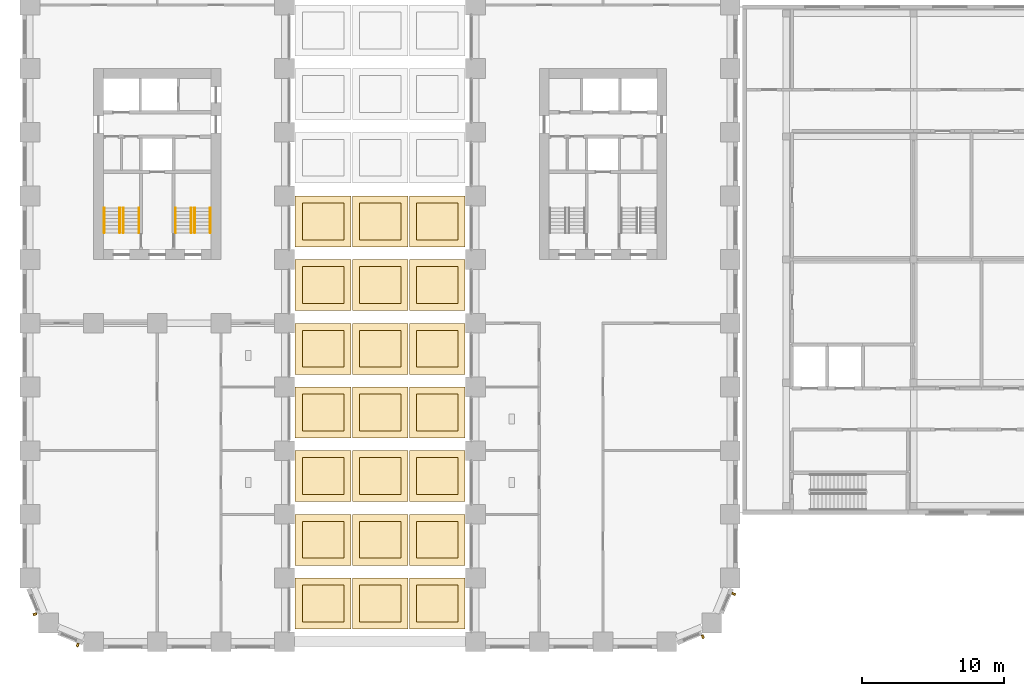
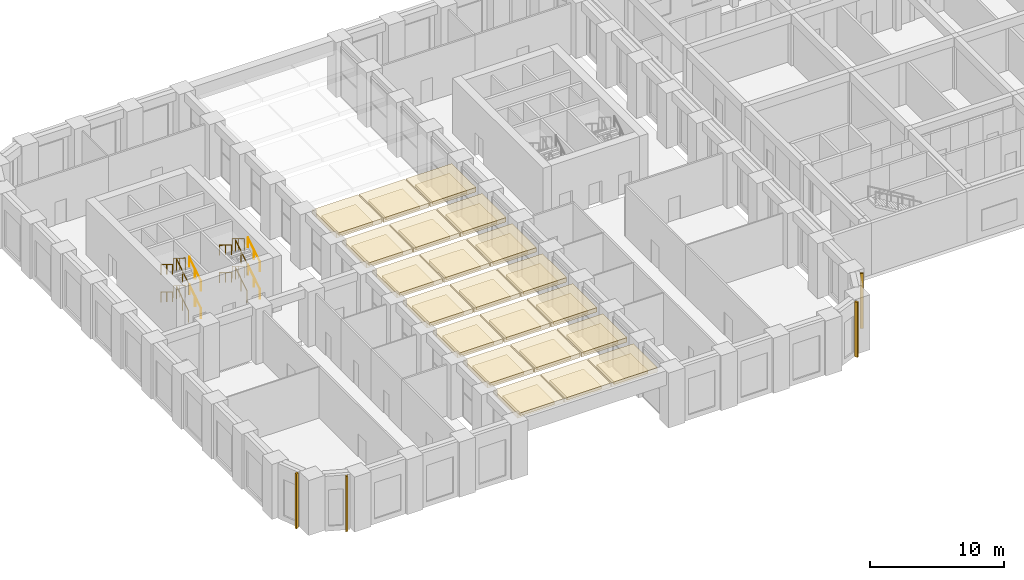
# One storey, part 18 of 24: 42 coverings, 16 railings, 4 shading devices.
"""IFC4 building model written with IfcOpenShell, lengths in metres."""

from ifc_helpers import new_model, si_unit, direction, frame, origin, origin_2d, place, context, subcontext, project, spatial, rectangle, circle, extrude, material, layer, layer_set, type_object, element, save


model = new_model("IFC4")

# Units and contexts
model_context = context("Model", 3, precision=1e-05, world=origin(), true_north=direction((0.0, 1.0)))
body_context = subcontext(model_context, "Body", "Model", "MODEL_VIEW")
ifc_project = project(units=[si_unit("LENGTHUNIT", "METRE"), si_unit("AREAUNIT", "SQUARE_METRE"), si_unit("VOLUMEUNIT", "CUBIC_METRE"), si_unit("PLANEANGLEUNIT", "RADIAN"), si_unit("MASSUNIT", "GRAM", prefix="KILO")], contexts=[model_context])

# Site, building, storey
site_placement = place(None, origin())
site = spatial("IfcSite", under=ifc_project, at=site_placement, CompositionType="ELEMENT")
building_placement = place(site_placement, origin())
building = spatial("IfcBuilding", under=site, at=building_placement, Name="Girih Gate Residences", CompositionType="ELEMENT")
storey_placement = place(building_placement, frame((0.0, 0.0, 16.0)))
storey = spatial("IfcBuildingStorey", under=building, at=storey_placement, Name="L03", CompositionType="ELEMENT", Elevation=16.0)

# Shading devices
ifc_material_1 = material(Name="Precast concrete C50/60", Category="concrete")
shading_device_type = type_object("IfcShadingDeviceType", Name="Corner rib 150x250", PredefinedType="USERDEFINED", material=ifc_material_1)
for number, where, z_axis, x_axis, name in (
    (1, (0.35498046875, 1.9443359375, 0.0), (0.0, 0.0, 1.0), (0.382683432365, -0.923879532511, 0.0), "Corner rib SW0000_0045.0"),
    (2, (3.376220703125, -0.238037109375, 0.0), (0.0, 0.0, 1.0), (0.923879532511, -0.382683432365, 0.0), "Corner rib SW0013_0013.0"),
    (3, (47.5556640625, 0.35498046875, 0.0), (0.0, 0.0, 1.0), (0.923879532511, 0.382683432365, 0.0), "Corner rib SE0450_0000.0"),
    (4, (49.738037109375, 3.376220703125, 0.0), (0.0, 0.0, 1.0), (0.382683432365, 0.923879532511, 0.0), "Corner rib SE0482_0013.0"),
):
    element("IfcShadingDevice", number, at=place(storey_placement, frame(where, z_axis=z_axis, x_axis=x_axis)), inside=storey, type_object=shading_device_type, Name=name, ObjectType="FIN", PredefinedType="USERDEFINED", context=body_context, shape_type="SweptSolid", body=[
        extrude(rectangle(XDim=0.14990234375, YDim=0.25, at=origin_2d()), origin(), (0.0, 0.0, 1.0), 5.0),
    ])

# Coverings
ifc_layer_1 = layer(ifc_material_1, 0.25)
ifc_layer_set_1 = layer_set([ifc_layer_1], Name="Muqarnas soffit coffer 250")
covering_type_1 = type_object("IfcCoveringType", Name="Muqarnas soffit coffer 250", PredefinedType="CEILING", material=ifc_layer_set_1)
for number, where, z_axis, x_axis, name in (
    (5, (20.716796875, 2.699951171875, 3.89990234375), (0.0, 0.0, 1.0), (1.0, 0.0, 0.0), "Soffit coffer step 1.1"),
    (6, (24.75, 2.699951171875, 3.89990234375), (0.0, 0.0, 1.0), (1.0, 0.0, 0.0), "Soffit coffer step 1.2"),
    (7, (28.783203125, 2.699951171875, 3.89990234375), (0.0, 0.0, 1.0), (1.0, 0.0, 0.0), "Soffit coffer step 1.3"),
    (8, (20.716796875, 7.199951171875, 3.89990234375), (0.0, 0.0, 1.0), (1.0, 0.0, 0.0), "Soffit coffer step 2.1"),
    (9, (24.75, 7.199951171875, 3.89990234375), (0.0, 0.0, 1.0), (1.0, 0.0, 0.0), "Soffit coffer step 2.2"),
    (10, (28.783203125, 7.199951171875, 3.89990234375), (0.0, 0.0, 1.0), (1.0, 0.0, 0.0), "Soffit coffer step 2.3"),
    (11, (20.716796875, 11.699951171875, 3.89990234375), (0.0, 0.0, 1.0), (1.0, 0.0, 0.0), "Soffit coffer step 3.1"),
    (12, (24.75, 11.699951171875, 3.89990234375), (0.0, 0.0, 1.0), (1.0, 0.0, 0.0), "Soffit coffer step 3.2"),
    (13, (28.783203125, 11.699951171875, 3.89990234375), (0.0, 0.0, 1.0), (1.0, 0.0, 0.0), "Soffit coffer step 3.3"),
    (14, (20.716796875, 16.199951171875, 3.89990234375), (0.0, 0.0, 1.0), (1.0, 0.0, 0.0), "Soffit coffer step 4.1"),
    (15, (24.75, 16.199951171875, 3.89990234375), (0.0, 0.0, 1.0), (1.0, 0.0, 0.0), "Soffit coffer step 4.2"),
    (16, (28.783203125, 16.199951171875, 3.89990234375), (0.0, 0.0, 1.0), (1.0, 0.0, 0.0), "Soffit coffer step 4.3"),
    (17, (20.716796875, 20.699951171875, 3.89990234375), (0.0, 0.0, 1.0), (1.0, 0.0, 0.0), "Soffit coffer step 5.1"),
    (18, (24.75, 20.699951171875, 3.89990234375), (0.0, 0.0, 1.0), (1.0, 0.0, 0.0), "Soffit coffer step 5.2"),
    (19, (28.783203125, 20.699951171875, 3.89990234375), (0.0, 0.0, 1.0), (1.0, 0.0, 0.0), "Soffit coffer step 5.3"),
    (20, (20.716796875, 25.199951171875, 3.89990234375), (0.0, 0.0, 1.0), (1.0, 0.0, 0.0), "Soffit coffer step 6.1"),
    (21, (24.75, 25.199951171875, 3.89990234375), (0.0, 0.0, 1.0), (1.0, 0.0, 0.0), "Soffit coffer step 6.2"),
    (22, (28.783203125, 25.199951171875, 3.89990234375), (0.0, 0.0, 1.0), (1.0, 0.0, 0.0), "Soffit coffer step 6.3"),
    (23, (20.716796875, 29.699951171875, 3.89990234375), (0.0, 0.0, 1.0), (1.0, 0.0, 0.0), "Soffit coffer step 7.1"),
    (24, (24.75, 29.699951171875, 3.89990234375), (0.0, 0.0, 1.0), (1.0, 0.0, 0.0), "Soffit coffer step 7.2"),
    (25, (28.783203125, 29.699951171875, 3.89990234375), (0.0, 0.0, 1.0), (1.0, 0.0, 0.0), "Soffit coffer step 7.3"),
):
    element("IfcCovering", number, at=place(storey_placement, frame(where, z_axis=z_axis, x_axis=x_axis)), inside=storey, type_object=covering_type_1, Name=name, PredefinedType="CEILING", context=body_context, shape_type="SweptSolid", body=[
        extrude(rectangle(XDim=2.933349609375, YDim=2.60009765625, at=origin_2d()), origin(), (0.0, 0.0, 1.0), 0.25),
    ])
ifc_layer_2 = layer(ifc_material_1, 0.39990234375)
ifc_layer_set_2 = layer_set([ifc_layer_2], Name="Muqarnas soffit coffer 400")
covering_type_2 = type_object("IfcCoveringType", Name="Muqarnas soffit coffer 400", PredefinedType="CEILING", material=ifc_layer_set_2)
for number, where, z_axis, x_axis, name in (
    (26, (20.716796875, 2.699951171875, 4.150146484375), (0.0, 0.0, 1.0), (1.0, 0.0, 0.0), "Soffit coffer 1.1"),
    (27, (24.75, 2.699951171875, 4.150146484375), (0.0, 0.0, 1.0), (1.0, 0.0, 0.0), "Soffit coffer 1.2"),
    (28, (28.783203125, 2.699951171875, 4.150146484375), (0.0, 0.0, 1.0), (1.0, 0.0, 0.0), "Soffit coffer 1.3"),
    (29, (20.716796875, 7.199951171875, 4.150146484375), (0.0, 0.0, 1.0), (1.0, 0.0, 0.0), "Soffit coffer 2.1"),
    (30, (24.75, 7.199951171875, 4.150146484375), (0.0, 0.0, 1.0), (1.0, 0.0, 0.0), "Soffit coffer 2.2"),
    (31, (28.783203125, 7.199951171875, 4.150146484375), (0.0, 0.0, 1.0), (1.0, 0.0, 0.0), "Soffit coffer 2.3"),
    (32, (20.716796875, 11.699951171875, 4.150146484375), (0.0, 0.0, 1.0), (1.0, 0.0, 0.0), "Soffit coffer 3.1"),
    (33, (24.75, 11.699951171875, 4.150146484375), (0.0, 0.0, 1.0), (1.0, 0.0, 0.0), "Soffit coffer 3.2"),
    (34, (28.783203125, 11.699951171875, 4.150146484375), (0.0, 0.0, 1.0), (1.0, 0.0, 0.0), "Soffit coffer 3.3"),
    (35, (20.716796875, 16.199951171875, 4.150146484375), (0.0, 0.0, 1.0), (1.0, 0.0, 0.0), "Soffit coffer 4.1"),
    (36, (24.75, 16.199951171875, 4.150146484375), (0.0, 0.0, 1.0), (1.0, 0.0, 0.0), "Soffit coffer 4.2"),
    (37, (28.783203125, 16.199951171875, 4.150146484375), (0.0, 0.0, 1.0), (1.0, 0.0, 0.0), "Soffit coffer 4.3"),
    (38, (20.716796875, 20.699951171875, 4.150146484375), (0.0, 0.0, 1.0), (1.0, 0.0, 0.0), "Soffit coffer 5.1"),
    (39, (24.75, 20.699951171875, 4.150146484375), (0.0, 0.0, 1.0), (1.0, 0.0, 0.0), "Soffit coffer 5.2"),
    (40, (28.783203125, 20.699951171875, 4.150146484375), (0.0, 0.0, 1.0), (1.0, 0.0, 0.0), "Soffit coffer 5.3"),
    (41, (20.716796875, 25.199951171875, 4.150146484375), (0.0, 0.0, 1.0), (1.0, 0.0, 0.0), "Soffit coffer 6.1"),
    (42, (24.75, 25.199951171875, 4.150146484375), (0.0, 0.0, 1.0), (1.0, 0.0, 0.0), "Soffit coffer 6.2"),
    (43, (28.783203125, 25.199951171875, 4.150146484375), (0.0, 0.0, 1.0), (1.0, 0.0, 0.0), "Soffit coffer 6.3"),
    (44, (20.716796875, 29.699951171875, 4.150146484375), (0.0, 0.0, 1.0), (1.0, 0.0, 0.0), "Soffit coffer 7.1"),
    (45, (24.75, 29.699951171875, 4.150146484375), (0.0, 0.0, 1.0), (1.0, 0.0, 0.0), "Soffit coffer 7.2"),
    (46, (28.783203125, 29.699951171875, 4.150146484375), (0.0, 0.0, 1.0), (1.0, 0.0, 0.0), "Soffit coffer 7.3"),
):
    element("IfcCovering", number, at=place(storey_placement, frame(where, z_axis=z_axis, x_axis=x_axis)), inside=storey, type_object=covering_type_2, Name=name, PredefinedType="CEILING", context=body_context, shape_type="SweptSolid", body=[
        extrude(rectangle(XDim=3.933349609375, YDim=3.60009765625, at=origin_2d()), origin(), (0.0, 0.0, 1.0), 0.39990234375),
    ])

# Railings
ifc_material_2 = material(Name="Stainless steel", Category="steel")
railing_type_1 = type_object("IfcRailingType", Name="Stair guard 1100", PredefinedType="GUARDRAIL", material=ifc_material_2)
railing_1_placement = place(storey_placement, frame((6.60009765625, 28.89990234375, 0.15625)))
element("IfcRailing", 47, at=railing_1_placement, inside=storey, type_object=railing_type_1, Name="L03 ST-W1 stair guard 1", PredefinedType="GUARDRAIL", context=body_context, shape_type="SweptSolid", body=[
    extrude(circle(Radius=0.02392578125, at=origin_2d()), frame((0.0, 0.0, 1.076171875), z_axis=(0.0, 0.847998304005, 0.529998940003), x_axis=(-1.0, 0.0, 0.0)), (0.0, 0.0, 1.0), 2.063720703125),
    extrude(circle(Radius=0.02099609375, at=origin_2d()), origin(), (0.0, 0.0, 1.0), 1.052001953125),
    extrude(circle(Radius=0.02099609375, at=origin_2d()), frame((0.0, 0.875, 0.546875)), (0.0, 0.0, 1.0), 1.052001953125),
    extrude(circle(Radius=0.02099609375, at=origin_2d()), frame((0.0, 1.75, 1.09375)), (0.0, 0.0, 1.0), 1.052001953125),
])
railing_2_placement = place(storey_placement, frame((6.35009765625, 30.64990234375, 1.40625)))
element("IfcRailing", 48, at=railing_2_placement, inside=storey, type_object=railing_type_1, Name="L03 ST-W1 stair guard 2", PredefinedType="GUARDRAIL", context=body_context, shape_type="SweptSolid", body=[
    extrude(circle(Radius=0.02392578125, at=origin_2d()), frame((0.0, 0.0, 1.076171875), z_axis=(0.0, -0.847998304005, 0.529998940003), x_axis=(1.0, 0.0, 0.0)), (0.0, 0.0, 1.0), 2.063720703125),
    extrude(circle(Radius=0.02099609375, at=origin_2d()), origin(), (0.0, 0.0, 1.0), 1.052001953125),
    extrude(circle(Radius=0.02099609375, at=origin_2d()), frame((0.0, -0.875, 0.546875)), (0.0, 0.0, 1.0), 1.052001953125),
    extrude(circle(Radius=0.02099609375, at=origin_2d()), frame((0.0, -1.75, 1.09375)), (0.0, 0.0, 1.0), 1.052001953125),
])
railing_3_placement = place(storey_placement, frame((6.60009765625, 28.89990234375, 2.65625)))
element("IfcRailing", 49, at=railing_3_placement, inside=storey, type_object=railing_type_1, Name="L03 ST-W1 stair guard 3", PredefinedType="GUARDRAIL", context=body_context, shape_type="SweptSolid", body=[
    extrude(circle(Radius=0.02392578125, at=origin_2d()), frame((0.0, 0.0, 1.076171875), z_axis=(0.0, 0.847998304005, 0.529998940003), x_axis=(-1.0, 0.0, 0.0)), (0.0, 0.0, 1.0), 2.063720703125),
    extrude(circle(Radius=0.02099609375, at=origin_2d()), origin(), (0.0, 0.0, 1.0), 1.052001953125),
    extrude(circle(Radius=0.02099609375, at=origin_2d()), frame((0.0, 0.875, 0.546875)), (0.0, 0.0, 1.0), 1.052001953125),
    extrude(circle(Radius=0.02099609375, at=origin_2d()), frame((0.0, 1.75, 1.09375)), (0.0, 0.0, 1.0), 1.052001953125),
])
railing_4_placement = place(storey_placement, frame((6.35009765625, 30.64990234375, 3.90625)))
element("IfcRailing", 50, at=railing_4_placement, inside=storey, type_object=railing_type_1, Name="L03 ST-W1 stair guard 4", PredefinedType="GUARDRAIL", context=body_context, shape_type="SweptSolid", body=[
    extrude(circle(Radius=0.02392578125, at=origin_2d()), frame((0.0, 0.0, 1.076171875), z_axis=(0.0, -0.847998304005, 0.529998940003), x_axis=(1.0, 0.0, 0.0)), (0.0, 0.0, 1.0), 2.063720703125),
    extrude(circle(Radius=0.02099609375, at=origin_2d()), origin(), (0.0, 0.0, 1.0), 1.052001953125),
    extrude(circle(Radius=0.02099609375, at=origin_2d()), frame((0.0, -0.875, 0.546875)), (0.0, 0.0, 1.0), 1.052001953125),
    extrude(circle(Radius=0.02099609375, at=origin_2d()), frame((0.0, -1.75, 1.09375)), (0.0, 0.0, 1.0), 1.052001953125),
])
railing_5_placement = place(storey_placement, frame((11.64990234375, 28.89990234375, 0.15625)))
element("IfcRailing", 51, at=railing_5_placement, inside=storey, type_object=railing_type_1, Name="L03 ST-W2 stair guard 1", PredefinedType="GUARDRAIL", context=body_context, shape_type="SweptSolid", body=[
    extrude(circle(Radius=0.02392578125, at=origin_2d()), frame((0.0, 0.0, 1.076171875), z_axis=(0.0, 0.847998304005, 0.529998940003), x_axis=(-1.0, 0.0, 0.0)), (0.0, 0.0, 1.0), 2.063720703125),
    extrude(circle(Radius=0.02099609375, at=origin_2d()), origin(), (0.0, 0.0, 1.0), 1.052001953125),
    extrude(circle(Radius=0.02099609375, at=origin_2d()), frame((0.0, 0.875, 0.546875)), (0.0, 0.0, 1.0), 1.052001953125),
    extrude(circle(Radius=0.02099609375, at=origin_2d()), frame((0.0, 1.75, 1.09375)), (0.0, 0.0, 1.0), 1.052001953125),
])
railing_6_placement = place(storey_placement, frame((11.39990234375, 30.64990234375, 1.40625)))
element("IfcRailing", 52, at=railing_6_placement, inside=storey, type_object=railing_type_1, Name="L03 ST-W2 stair guard 2", PredefinedType="GUARDRAIL", context=body_context, shape_type="SweptSolid", body=[
    extrude(circle(Radius=0.02392578125, at=origin_2d()), frame((0.0, 0.0, 1.076171875), z_axis=(0.0, -0.847998304005, 0.529998940003), x_axis=(1.0, 0.0, 0.0)), (0.0, 0.0, 1.0), 2.063720703125),
    extrude(circle(Radius=0.02099609375, at=origin_2d()), origin(), (0.0, 0.0, 1.0), 1.052001953125),
    extrude(circle(Radius=0.02099609375, at=origin_2d()), frame((0.0, -0.875, 0.546875)), (0.0, 0.0, 1.0), 1.052001953125),
    extrude(circle(Radius=0.02099609375, at=origin_2d()), frame((0.0, -1.75, 1.09375)), (0.0, 0.0, 1.0), 1.052001953125),
])
railing_7_placement = place(storey_placement, frame((11.64990234375, 28.89990234375, 2.65625)))
element("IfcRailing", 53, at=railing_7_placement, inside=storey, type_object=railing_type_1, Name="L03 ST-W2 stair guard 3", PredefinedType="GUARDRAIL", context=body_context, shape_type="SweptSolid", body=[
    extrude(circle(Radius=0.02392578125, at=origin_2d()), frame((0.0, 0.0, 1.076171875), z_axis=(0.0, 0.847998304005, 0.529998940003), x_axis=(-1.0, 0.0, 0.0)), (0.0, 0.0, 1.0), 2.063720703125),
    extrude(circle(Radius=0.02099609375, at=origin_2d()), origin(), (0.0, 0.0, 1.0), 1.052001953125),
    extrude(circle(Radius=0.02099609375, at=origin_2d()), frame((0.0, 0.875, 0.546875)), (0.0, 0.0, 1.0), 1.052001953125),
    extrude(circle(Radius=0.02099609375, at=origin_2d()), frame((0.0, 1.75, 1.09375)), (0.0, 0.0, 1.0), 1.052001953125),
])
railing_8_placement = place(storey_placement, frame((11.39990234375, 30.64990234375, 3.90625)))
element("IfcRailing", 54, at=railing_8_placement, inside=storey, type_object=railing_type_1, Name="L03 ST-W2 stair guard 4", PredefinedType="GUARDRAIL", context=body_context, shape_type="SweptSolid", body=[
    extrude(circle(Radius=0.02392578125, at=origin_2d()), frame((0.0, 0.0, 1.076171875), z_axis=(0.0, -0.847998304005, 0.529998940003), x_axis=(1.0, 0.0, 0.0)), (0.0, 0.0, 1.0), 2.063720703125),
    extrude(circle(Radius=0.02099609375, at=origin_2d()), origin(), (0.0, 0.0, 1.0), 1.052001953125),
    extrude(circle(Radius=0.02099609375, at=origin_2d()), frame((0.0, -0.875, 0.546875)), (0.0, 0.0, 1.0), 1.052001953125),
    extrude(circle(Radius=0.02099609375, at=origin_2d()), frame((0.0, -1.75, 1.09375)), (0.0, 0.0, 1.0), 1.052001953125),
])
railing_type_2 = type_object("IfcRailingType", Name="Stair handrail 900", PredefinedType="HANDRAIL", material=ifc_material_2)
railing_9_placement = place(storey_placement, frame((7.699951171875, 28.89990234375, 0.15625)))
element("IfcRailing", 55, at=railing_9_placement, inside=storey, type_object=railing_type_2, Name="L03 ST-W1 stair handrail 1", PredefinedType="HANDRAIL", context=body_context, shape_type="SweptSolid", body=[
    extrude(circle(Radius=0.02392578125, at=origin_2d()), frame((0.0, 0.0, 0.8857421875), z_axis=(0.0, 0.847998304005, 0.529998940003), x_axis=(-1.0, 0.0, 0.0)), (0.0, 0.0, 1.0), 2.063720703125),
    extrude(circle(Radius=0.02099609375, at=origin_2d()), origin(), (0.0, 0.0, 1.0), 0.86181640625),
    extrude(circle(Radius=0.02099609375, at=origin_2d()), frame((0.0, 0.875, 0.546875)), (0.0, 0.0, 1.0), 0.86181640625),
    extrude(circle(Radius=0.02099609375, at=origin_2d()), frame((0.0, 1.75, 1.09375)), (0.0, 0.0, 1.0), 0.86181640625),
])
railing_10_placement = place(storey_placement, frame((5.25, 30.64990234375, 1.40625)))
element("IfcRailing", 56, at=railing_10_placement, inside=storey, type_object=railing_type_2, Name="L03 ST-W1 stair handrail 2", PredefinedType="HANDRAIL", context=body_context, shape_type="SweptSolid", body=[
    extrude(circle(Radius=0.02392578125, at=origin_2d()), frame((0.0, 0.0, 0.8857421875), z_axis=(0.0, -0.847998304005, 0.529998940003), x_axis=(1.0, 0.0, 0.0)), (0.0, 0.0, 1.0), 2.063720703125),
    extrude(circle(Radius=0.02099609375, at=origin_2d()), origin(), (0.0, 0.0, 1.0), 0.86181640625),
    extrude(circle(Radius=0.02099609375, at=origin_2d()), frame((0.0, -0.875, 0.546875)), (0.0, 0.0, 1.0), 0.86181640625),
    extrude(circle(Radius=0.02099609375, at=origin_2d()), frame((0.0, -1.75, 1.09375)), (0.0, 0.0, 1.0), 0.86181640625),
])
railing_11_placement = place(storey_placement, frame((7.699951171875, 28.89990234375, 2.65625)))
element("IfcRailing", 57, at=railing_11_placement, inside=storey, type_object=railing_type_2, Name="L03 ST-W1 stair handrail 3", PredefinedType="HANDRAIL", context=body_context, shape_type="SweptSolid", body=[
    extrude(circle(Radius=0.02392578125, at=origin_2d()), frame((0.0, 0.0, 0.8857421875), z_axis=(0.0, 0.847998304005, 0.529998940003), x_axis=(-1.0, 0.0, 0.0)), (0.0, 0.0, 1.0), 2.063720703125),
    extrude(circle(Radius=0.02099609375, at=origin_2d()), origin(), (0.0, 0.0, 1.0), 0.86181640625),
    extrude(circle(Radius=0.02099609375, at=origin_2d()), frame((0.0, 0.875, 0.546875)), (0.0, 0.0, 1.0), 0.86181640625),
    extrude(circle(Radius=0.02099609375, at=origin_2d()), frame((0.0, 1.75, 1.09375)), (0.0, 0.0, 1.0), 0.86181640625),
])
railing_12_placement = place(storey_placement, frame((5.25, 30.64990234375, 3.90625)))
element("IfcRailing", 58, at=railing_12_placement, inside=storey, type_object=railing_type_2, Name="L03 ST-W1 stair handrail 4", PredefinedType="HANDRAIL", context=body_context, shape_type="SweptSolid", body=[
    extrude(circle(Radius=0.02392578125, at=origin_2d()), frame((0.0, 0.0, 0.8857421875), z_axis=(0.0, -0.847998304005, 0.529998940003), x_axis=(1.0, 0.0, 0.0)), (0.0, 0.0, 1.0), 2.063720703125),
    extrude(circle(Radius=0.02099609375, at=origin_2d()), origin(), (0.0, 0.0, 1.0), 0.86181640625),
    extrude(circle(Radius=0.02099609375, at=origin_2d()), frame((0.0, -0.875, 0.546875)), (0.0, 0.0, 1.0), 0.86181640625),
    extrude(circle(Radius=0.02099609375, at=origin_2d()), frame((0.0, -1.75, 1.09375)), (0.0, 0.0, 1.0), 0.86181640625),
])
railing_13_placement = place(storey_placement, frame((12.75, 28.89990234375, 0.15625)))
element("IfcRailing", 59, at=railing_13_placement, inside=storey, type_object=railing_type_2, Name="L03 ST-W2 stair handrail 1", PredefinedType="HANDRAIL", context=body_context, shape_type="SweptSolid", body=[
    extrude(circle(Radius=0.02392578125, at=origin_2d()), frame((0.0, 0.0, 0.8857421875), z_axis=(0.0, 0.847998304005, 0.529998940003), x_axis=(-1.0, 0.0, 0.0)), (0.0, 0.0, 1.0), 2.063720703125),
    extrude(circle(Radius=0.02099609375, at=origin_2d()), origin(), (0.0, 0.0, 1.0), 0.86181640625),
    extrude(circle(Radius=0.02099609375, at=origin_2d()), frame((0.0, 0.875, 0.546875)), (0.0, 0.0, 1.0), 0.86181640625),
    extrude(circle(Radius=0.02099609375, at=origin_2d()), frame((0.0, 1.75, 1.09375)), (0.0, 0.0, 1.0), 0.86181640625),
])
railing_14_placement = place(storey_placement, frame((10.300048828125, 30.64990234375, 1.40625)))
element("IfcRailing", 60, at=railing_14_placement, inside=storey, type_object=railing_type_2, Name="L03 ST-W2 stair handrail 2", PredefinedType="HANDRAIL", context=body_context, shape_type="SweptSolid", body=[
    extrude(circle(Radius=0.02392578125, at=origin_2d()), frame((0.0, 0.0, 0.8857421875), z_axis=(0.0, -0.847998304005, 0.529998940003), x_axis=(1.0, 0.0, 0.0)), (0.0, 0.0, 1.0), 2.063720703125),
    extrude(circle(Radius=0.02099609375, at=origin_2d()), origin(), (0.0, 0.0, 1.0), 0.86181640625),
    extrude(circle(Radius=0.02099609375, at=origin_2d()), frame((0.0, -0.875, 0.546875)), (0.0, 0.0, 1.0), 0.86181640625),
    extrude(circle(Radius=0.02099609375, at=origin_2d()), frame((0.0, -1.75, 1.09375)), (0.0, 0.0, 1.0), 0.86181640625),
])
railing_15_placement = place(storey_placement, frame((12.75, 28.89990234375, 2.65625)))
element("IfcRailing", 61, at=railing_15_placement, inside=storey, type_object=railing_type_2, Name="L03 ST-W2 stair handrail 3", PredefinedType="HANDRAIL", context=body_context, shape_type="SweptSolid", body=[
    extrude(circle(Radius=0.02392578125, at=origin_2d()), frame((0.0, 0.0, 0.8857421875), z_axis=(0.0, 0.847998304005, 0.529998940003), x_axis=(-1.0, 0.0, 0.0)), (0.0, 0.0, 1.0), 2.063720703125),
    extrude(circle(Radius=0.02099609375, at=origin_2d()), origin(), (0.0, 0.0, 1.0), 0.86181640625),
    extrude(circle(Radius=0.02099609375, at=origin_2d()), frame((0.0, 0.875, 0.546875)), (0.0, 0.0, 1.0), 0.86181640625),
    extrude(circle(Radius=0.02099609375, at=origin_2d()), frame((0.0, 1.75, 1.09375)), (0.0, 0.0, 1.0), 0.86181640625),
])
railing_16_placement = place(storey_placement, frame((10.300048828125, 30.64990234375, 3.90625)))
element("IfcRailing", 62, at=railing_16_placement, inside=storey, type_object=railing_type_2, Name="L03 ST-W2 stair handrail 4", PredefinedType="HANDRAIL", context=body_context, shape_type="SweptSolid", body=[
    extrude(circle(Radius=0.02392578125, at=origin_2d()), frame((0.0, 0.0, 0.8857421875), z_axis=(0.0, -0.847998304005, 0.529998940003), x_axis=(1.0, 0.0, 0.0)), (0.0, 0.0, 1.0), 2.063720703125),
    extrude(circle(Radius=0.02099609375, at=origin_2d()), origin(), (0.0, 0.0, 1.0), 0.86181640625),
    extrude(circle(Radius=0.02099609375, at=origin_2d()), frame((0.0, -0.875, 0.546875)), (0.0, 0.0, 1.0), 0.86181640625),
    extrude(circle(Radius=0.02099609375, at=origin_2d()), frame((0.0, -1.75, 1.09375)), (0.0, 0.0, 1.0), 0.86181640625),
])

save(model, "model.ifc")
